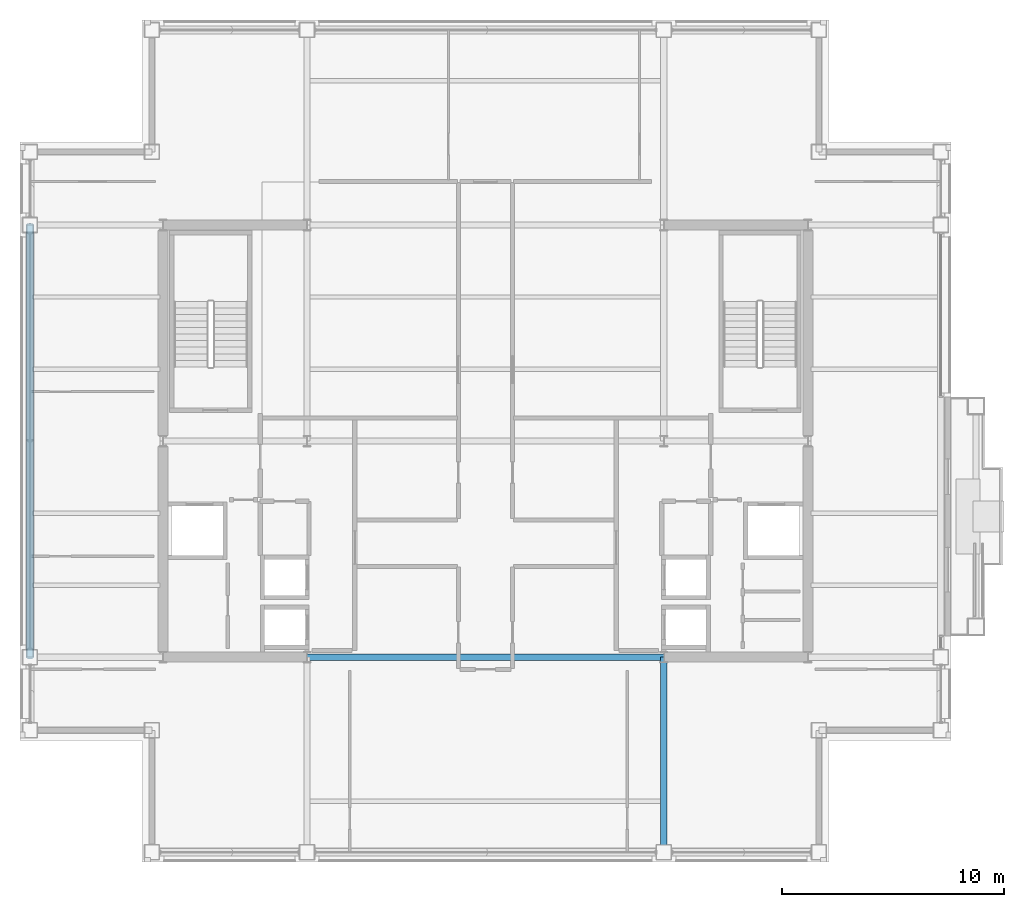
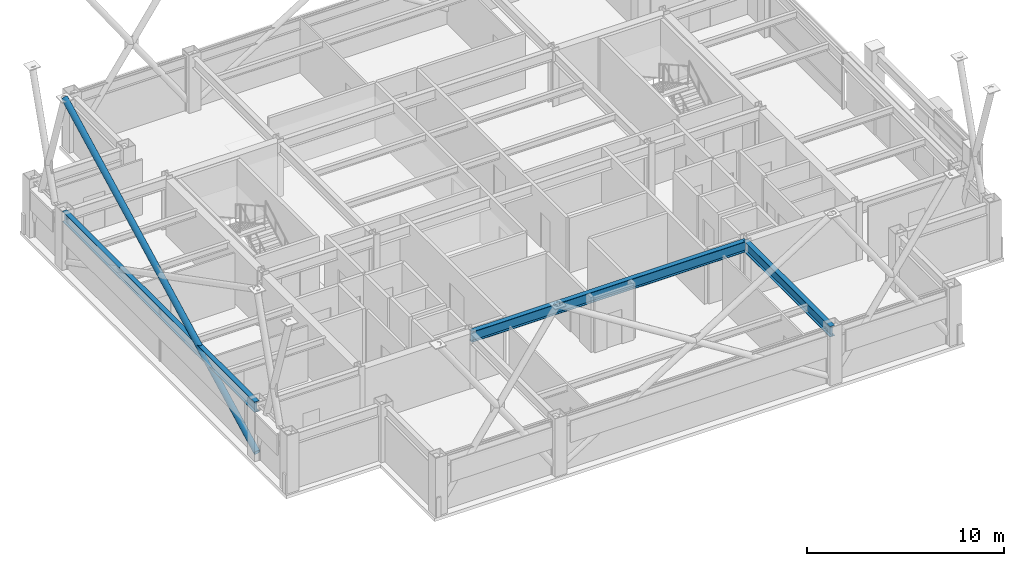
# One storey, part 9 of 33: 3 beams, 1 member.
"""IFC4 building model written with IfcOpenShell, lengths in metres."""

from ifc_helpers import new_model, si_unit, direction, frame, origin, origin_2d, place, context, subcontext, project, spatial, hollow_circle, i_section, extrude, material, material_profile, profile_set, type_object, element, save


model = new_model("IFC4")

# Units and contexts
model_context = context("Model", 3, precision=1e-05, world=origin(), true_north=direction((0.0, 1.0)))
body_context = subcontext(model_context, "Body", "Model", "MODEL_VIEW")
ifc_project = project(units=[si_unit("LENGTHUNIT", "METRE"), si_unit("AREAUNIT", "SQUARE_METRE"), si_unit("VOLUMEUNIT", "CUBIC_METRE"), si_unit("PLANEANGLEUNIT", "RADIAN"), si_unit("MASSUNIT", "GRAM", prefix="KILO")], contexts=[model_context])

# Site, building, storey
site_placement = place(None, origin())
site = spatial("IfcSite", under=ifc_project, at=site_placement, CompositionType="ELEMENT")
building_placement = place(site_placement, origin())
building = spatial("IfcBuilding", under=site, at=building_placement, Name="Brelmoor Portico Tower", CompositionType="ELEMENT")
storey_placement = place(building_placement, frame((0.0, 0.0, 183.89990234375)))
storey = spatial("IfcBuildingStorey", under=building, at=storey_placement, Name="L48", CompositionType="ELEMENT", Elevation=183.89990234375)

# Beams
ifc_material = material(Name="Steel Q355B", Category="steel")
ifc_material_profile_1 = material_profile(ifc_material, i_section(OverallWidth=0.280029296875, OverallDepth=0.64990234375, WebThickness=0.012939453125, FlangeThickness=0.02197265625, at=origin_2d()), Name="HN 650x280x13x22")
ifc_profile_set_1 = profile_set([ifc_material_profile_1], Name="Steel Q355B")
beam_type_1 = type_object("IfcBeamType", Name="BM-PG-650", PredefinedType="BEAM", material=ifc_profile_set_1)
beam_1_placement = place(storey_placement, frame((8.050048828125, -18.550048828125, 3.0751953125), z_axis=(0.0, 1.0, 0.0), x_axis=(-1.0, 0.0, 0.0)))
element("IfcBeam", 1, at=beam_1_placement, inside=storey, type_object=beam_type_1, Name="L48 Primary Floor Girder PG-06", PredefinedType="BEAM", context=body_context, shape_type="SweptSolid", body=[
    extrude(i_section(OverallWidth=0.280029296875, OverallDepth=0.64990234375, WebThickness=0.012939453125, FlangeThickness=0.02197265625, at=origin_2d()), origin(), (0.0, 0.0, 1.0), 8.800048828125),
])
beam_2_placement = place(storey_placement, frame((-8.050048828125, -9.75, 3.0751953125), z_axis=(1.0, 0.0, 0.0), x_axis=(0.0, 1.0, 0.0)))
element("IfcBeam", 2, at=beam_2_placement, inside=storey, type_object=beam_type_1, Name="L48 Primary Floor Girder PG-13", PredefinedType="BEAM", context=body_context, shape_type="SweptSolid", body=[
    extrude(i_section(OverallWidth=0.280029296875, OverallDepth=0.64990234375, WebThickness=0.012939453125, FlangeThickness=0.02197265625, at=origin_2d()), origin(), (0.0, 0.0, 1.0), 16.10009765625),
])
ifc_material_profile_2 = material_profile(ifc_material, i_section(OverallWidth=0.280029296875, OverallDepth=0.64990234375, WebThickness=0.012939453125, FlangeThickness=0.02197265625, at=origin_2d()), Name="HN 650x280x13x22")
ifc_profile_set_2 = profile_set([ifc_material_profile_2], Name="Steel Q355B")
beam_type_2 = type_object("IfcBeamType", Name="BM-SP-650", PredefinedType="SPANDREL", material=ifc_profile_set_2)
beam_3_placement = place(storey_placement, frame((-20.550048828125, -9.75, 3.0751953125), z_axis=(0.0, 1.0, 0.0), x_axis=(-1.0, 0.0, 0.0)))
element("IfcBeam", 3, at=beam_3_placement, inside=storey, type_object=beam_type_2, Name="L48 Perimeter Spandrel Beam SP-12", PredefinedType="SPANDREL", context=body_context, shape_type="SweptSolid", body=[
    extrude(i_section(OverallWidth=0.280029296875, OverallDepth=0.64990234375, WebThickness=0.012939453125, FlangeThickness=0.02197265625, at=origin_2d()), origin(), (0.0, 0.0, 1.0), 19.5),
])

# Member
ifc_material_profile_3 = material_profile(ifc_material, hollow_circle(Radius=0.177978515625, WallThickness=0.01611328125, at=origin_2d()), Name="CHS 356x16")
ifc_profile_set_3 = profile_set([ifc_material_profile_3], Name="Steel Q355B")
member_type = type_object("IfcMemberType", Name="MB-BELT-DIAG2", PredefinedType="BRACE", material=ifc_profile_set_3)
member_placement = place(storey_placement, frame((-20.550048828125, -9.75, 0.25), z_axis=(0.0, 0.887959386012, 0.459921872488), x_axis=(-1.0, 0.0, 0.0)))
element("IfcMember", 4, at=member_placement, inside=storey, type_object=member_type, Name="L48 Continuous Mega-X Brace 112A", PredefinedType="BRACE", context=body_context, shape_type="SweptSolid", body=[
    extrude(hollow_circle(Radius=0.177978515625, WallThickness=0.01611328125, at=origin_2d()), origin(), (0.0, 0.0, 1.0), 21.96044921875),
])

save(model, "model.ifc")
